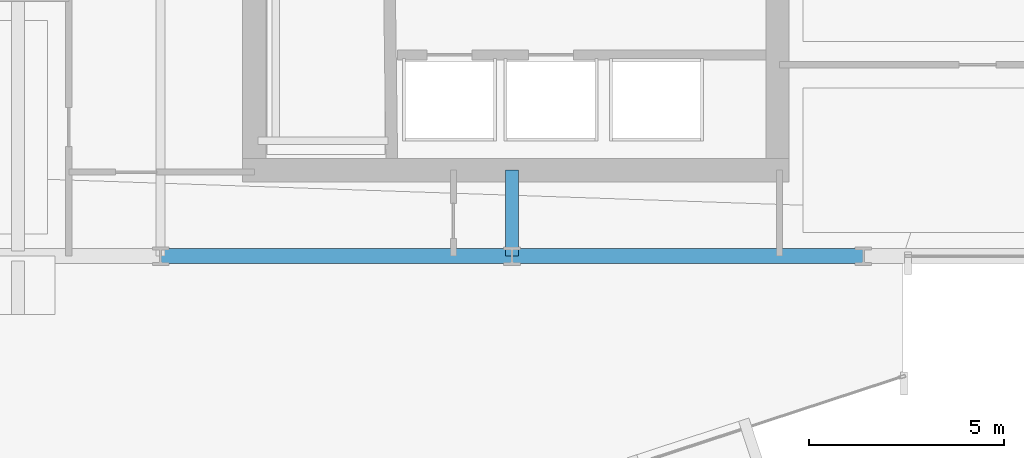
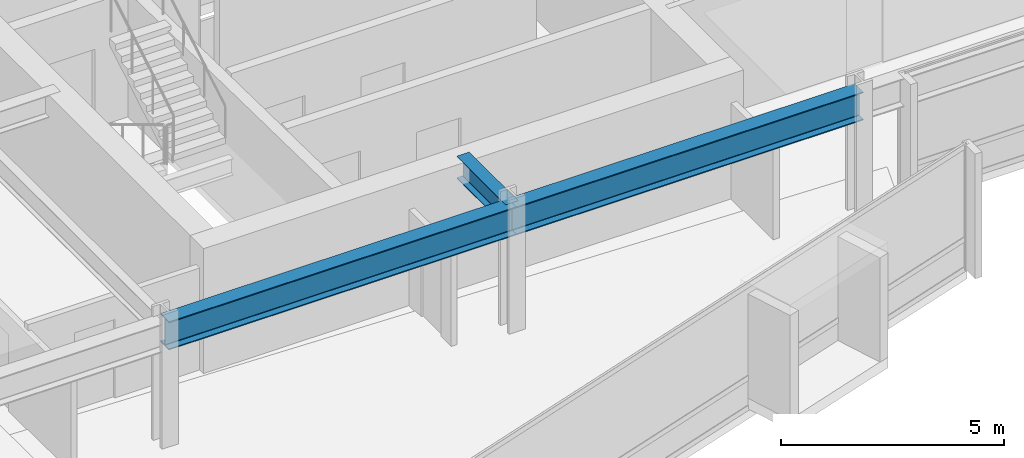
# One storey, part 11 of 34: 3 beams.
"""IFC4 building model written with IfcOpenShell, lengths in metres."""

import ifcopenshell
import ifcopenshell.guid

model = None  # the IFC model being written
_history = None  # IfcOwnerHistory: only IFC2X3 demands one
_inside = {}  # id of a spatial element -> (the spatial element, [elements in it])
_under = {}  # id of a project, library or spatial element -> (it, [spatial elements below it])
_declared = {}  # id of a project -> (the project, [libraries it declares])
_typed = {}  # id of a type object -> (the type object, [elements of that type])
_made_of = {}  # id of a material, layer set ... -> (it, [elements and type objects made of it])


def new_model(schema):
    """Start an empty IFC model of exactly this schema.

    Asked for "IFC4X3", IfcOpenShell would pick the latest addendum, in which some entities
    have other attributes; the version numbers below select the first issue.
    IFC2X3 requires an IfcOwnerHistory on every rooted entity: one is made here for all.
    """
    global model, _history
    if schema == "IFC4X3":
        model = ifcopenshell.file(schema_version=(4, 3, 0, 0))
    else:
        model = ifcopenshell.file(schema=schema)
    _inside.clear()
    _under.clear()
    _declared.clear()
    _typed.clear()
    _made_of.clear()
    _history = None
    if model.schema == "IFC2X3":
        org = make("IfcOrganization", Name="unknown")
        user = make(
            "IfcPersonAndOrganization",
            ThePerson=make("IfcPerson", FamilyName="unknown"),
            TheOrganization=org,
        )
        app = make(
            "IfcApplication",
            ApplicationDeveloper=org,
            Version="unknown",
            ApplicationFullName="unknown",
            ApplicationIdentifier="unknown",
        )
        _history = make(
            "IfcOwnerHistory",
            OwningUser=user,
            OwningApplication=app,
            ChangeAction="ADDED",
            CreationDate=0,
        )
    return model


def make(cls, **values):
    """One entity of the class cls with the attributes given. An attribute that is None is left unset."""
    return model.create_entity(
        cls, **{name: value for name, value in values.items() if value is not None}
    )


def rooted(cls, **values):
    """An entity with a GlobalId (a new one), such as an element, a storey or a relation."""
    return make(cls, GlobalId=ifcopenshell.guid.new(), OwnerHistory=_history, **values)


def si_unit(unit_type, name, prefix=None):
    """IfcSIUnit, for example si_unit("LENGTHUNIT", "METRE", prefix="MILLI")."""
    return make("IfcSIUnit", UnitType=unit_type, Prefix=prefix, Name=name)


def assignment(units):
    """IfcUnitAssignment: the units of a project."""
    return None if units is None else make("IfcUnitAssignment", Units=units)


def point(xyz):
    """IfcCartesianPoint."""
    return None if xyz is None else make("IfcCartesianPoint", Coordinates=xyz)


def direction(xyz):
    """IfcDirection."""
    return None if xyz is None else make("IfcDirection", DirectionRatios=xyz)


def frame(location, z_axis=None, x_axis=None):
    """IfcAxis2Placement3D, a coordinate frame: its origin and axes. An axis left out is left unset."""
    return make(
        "IfcAxis2Placement3D",
        Location=point(location),
        Axis=direction(z_axis),
        RefDirection=direction(x_axis),
    )


def frame_2d(location, x_axis=None):
    """IfcAxis2Placement2D, a coordinate frame in the plane: its origin and x axis."""
    return make(
        "IfcAxis2Placement2D", Location=point(location), RefDirection=direction(x_axis)
    )


def origin():
    """The frame at (0, 0, 0) with its axes left unset."""
    return frame((0.0, 0.0, 0.0))


def origin_2d():
    """The frame at (0, 0) in the plane with its x axis left unset."""
    return frame_2d((0.0, 0.0))


def place(relative_to, where):
    """IfcLocalPlacement: puts the frame where relative to a parent placement (None: the world)."""
    return make(
        "IfcLocalPlacement", PlacementRelTo=relative_to, RelativePlacement=where
    )


def context(
    kind, dimensions, precision=None, world=None, true_north=None, identifier=None
):
    """IfcGeometricRepresentationContext, for example the 3D "Model" context."""
    return make(
        "IfcGeometricRepresentationContext",
        ContextIdentifier=identifier,
        ContextType=kind,
        CoordinateSpaceDimension=dimensions,
        Precision=precision,
        WorldCoordinateSystem=world,
        TrueNorth=true_north,
    )


def subcontext(parent, identifier, kind, view, scale=None):
    """IfcGeometricRepresentationSubContext, for example "Body" below "Model"."""
    return make(
        "IfcGeometricRepresentationSubContext",
        ContextIdentifier=identifier,
        ContextType=kind,
        ParentContext=parent,
        TargetScale=scale,
        TargetView=view,
    )


def project(units=None, contexts=None):
    """IfcProject with its units and contexts."""
    return rooted(
        "IfcProject",
        Name="project",
        RepresentationContexts=contexts,
        UnitsInContext=assignment(units),
    )


def spatial(cls, under=None, at=None, **own):
    """A site, building, storey or space (cls), placed at a placement, below another one or the project."""
    s = rooted(cls, ObjectPlacement=at, **own)
    if under is not None:
        _under.setdefault(under.id(), (under, []))[1].append(s)
    return s


def profile(cls, at=None, kind="AREA", **sizes):
    """A parametric profile (cls). Its sizes go by their IFC names, for example OverallWidth=200.0."""
    return make(cls, ProfileType=kind, Position=at, **sizes)


def i_section(**sizes):
    """IfcIShapeProfileDef."""
    return profile("IfcIShapeProfileDef", **sizes)


def extrude(swept, where, along, depth):
    """IfcExtrudedAreaSolid: the profile swept, set in the frame where, extruded along a direction by depth."""
    return make(
        "IfcExtrudedAreaSolid",
        SweptArea=swept,
        Position=where,
        ExtrudedDirection=direction(along),
        Depth=depth,
    )


def shape(context_of_items, identifier, shape_type, items):
    """IfcShapeRepresentation: the items that make up one representation, for example the "Body"."""
    return make(
        "IfcShapeRepresentation",
        ContextOfItems=context_of_items,
        RepresentationIdentifier=identifier,
        RepresentationType=shape_type,
        Items=items,
    )


def material(Name=None, Category=None):
    """IfcMaterial."""
    return make("IfcMaterial", Name=Name, Category=Category)


def material_profile(
    of_material, cross_section, Name=None, Category=None, Priority=None
):
    """IfcMaterialProfile: a cross section and its material."""
    return make(
        "IfcMaterialProfile",
        Name=Name,
        Material=of_material,
        Profile=cross_section,
        Priority=Priority,
        Category=Category,
    )


def profile_set(profiles, Name=None, composite=None):
    """IfcMaterialProfileSet."""
    return make(
        "IfcMaterialProfileSet",
        Name=Name,
        MaterialProfiles=profiles,
        CompositeProfile=composite,
    )


def made_of(thing, what):
    """Note that an element or type object is made of a material, layer set ...; save() writes the relation."""
    if what is not None:
        _made_of.setdefault(what.id(), (what, []))[1].append(thing)
    return thing


def type_object(cls, material=None, **own):
    """A type object (cls), such as IfcWallType, which elements share."""
    return made_of(rooted(cls, **own), material)


def element(
    cls,
    number,
    at=None,
    inside=None,
    cuts=None,
    type_object=None,
    material=None,
    context=None,
    identifier="Body",
    shape_type=None,
    held_by="IfcProductDefinitionShape",
    body=None,
    shapes=None,
    **own,
):
    """One element of the class cls, such as IfcWall. Its Tag is "e" and its number.

    at: its placement. inside: the storey or other place that contains it. cuts: it is an
    opening in that element (IfcRelVoidsElement). A single representation is given by context,
    identifier, shape_type and body (its items); several are given by shapes. held_by: the class
    of the entity that holds the representations. save() writes the other relations.
    """
    e = rooted(cls, Tag="e%d" % number, ObjectPlacement=at, **own)
    if body is not None:
        shapes = [shape(context, identifier, shape_type, body)]
    if shapes is not None:
        e.Representation = make(held_by, Representations=shapes)
    if inside is not None:
        _inside.setdefault(inside.id(), (inside, []))[1].append(e)
    if cuts is not None:
        rooted(
            "IfcRelVoidsElement", RelatingBuildingElement=cuts, RelatedOpeningElement=e
        )
    if type_object is not None:
        _typed.setdefault(type_object.id(), (type_object, []))[1].append(e)
    return made_of(e, material)


def aggregate(whole, parts):
    """IfcRelAggregates: a whole, such as a stair, and the parts it consists of."""
    return rooted("IfcRelAggregates", RelatingObject=whole, RelatedObjects=parts)


def save(model, path):
    """Write the relations noted so far, then the file.

    IfcRelAggregates (storeys below a building ...), IfcRelContainedInSpatialStructure (elements
    in a storey), IfcRelDefinesByType, IfcRelAssociatesMaterial and IfcRelDeclares: one each for
    every whole, place, type object, material and project.
    """
    for whole, parts in _under.values():
        aggregate(whole, parts)
    for where, things in _inside.values():
        rooted(
            "IfcRelContainedInSpatialStructure",
            RelatedElements=things,
            RelatingStructure=where,
        )
    for kind, things in _typed.values():
        rooted("IfcRelDefinesByType", RelatedObjects=things, RelatingType=kind)
    for what, things in _made_of.values():
        rooted("IfcRelAssociatesMaterial", RelatedObjects=things, RelatingMaterial=what)
    for by, libraries in _declared.values():
        rooted("IfcRelDeclares", RelatingContext=by, RelatedDefinitions=libraries)
    model.write(path)


model = new_model("IFC4")

# Units and contexts
model_context = context("Model", 3, precision=1e-05, world=origin(), true_north=direction((0.0, 1.0)))
body_context = subcontext(model_context, "Body", "Model", "MODEL_VIEW")
ifc_project = project(units=[si_unit("LENGTHUNIT", "METRE"), si_unit("AREAUNIT", "SQUARE_METRE"), si_unit("VOLUMEUNIT", "CUBIC_METRE"), si_unit("PLANEANGLEUNIT", "RADIAN"), si_unit("MASSUNIT", "GRAM", prefix="KILO")], contexts=[model_context])

# Site, building, storey
site_placement = place(None, origin())
site = spatial("IfcSite", under=ifc_project, at=site_placement, CompositionType="ELEMENT")
building_placement = place(site_placement, origin())
building = spatial("IfcBuilding", under=site, at=building_placement, Name="Solvaryn Broadcast Tower", CompositionType="ELEMENT")
storey_placement = place(building_placement, frame((0.0, 0.0, 89.10009765625)))
storey = spatial("IfcBuildingStorey", under=building, at=storey_placement, Name="L21", CompositionType="ELEMENT", Elevation=89.10009765625)

# Beams
ifc_material_1 = material(Name="Steel ASTM A992 Grade 50", Category="steel")
ifc_material_profile_1 = material_profile(ifc_material_1, i_section(OverallWidth=0.323974609375, OverallDepth=0.611083984375, WebThickness=0.0126953125, FlangeThickness=0.01904296875, FilletRadius=0.014892578125, at=origin_2d()))
ifc_profile_set_1 = profile_set([ifc_material_profile_1], Name="Steel ASTM A992 Grade 50")
beam_type_1 = type_object("IfcBeamType", Name="BM-B1-W24X104", PredefinedType="BEAM", material=ifc_profile_set_1)
beam_placement = place(storey_placement, frame((36.0, 9.0, 3.114501953125), z_axis=(0.0, 1.0, 0.0), x_axis=(-1.0, 0.0, 0.0)))
element("IfcBeam", 1, at=beam_placement, inside=storey, type_object=beam_type_1, Name="L21 Core Tie Beam CTE1", PredefinedType="BEAM", context=body_context, shape_type="SweptSolid", body=[
    extrude(i_section(OverallWidth=0.323974609375, OverallDepth=0.611083984375, WebThickness=0.0126953125, FlangeThickness=0.01904296875, FilletRadius=0.014892578125, at=origin_2d()), origin(), (0.0, 0.0, 1.0), 2.199951171875),
])
ifc_material_2 = material(Name="Steel ASTM A992 Grade 50", Category="steel")
ifc_material_profile_2 = material_profile(ifc_material_2, i_section(OverallWidth=0.381103515625, OverallDepth=0.77294921875, WebThickness=0.0166015625, FlangeThickness=0.027099609375, FilletRadius=0.01806640625, at=origin_2d()))
ifc_profile_set_2 = profile_set([ifc_material_profile_2], Name="Steel ASTM A992 Grade 50")
beam_type_2 = type_object("IfcBeamType", Name="BM-SP1-W30X173", PredefinedType="USERDEFINED", material=ifc_profile_set_2)
for number, where, z_axis, x_axis, name in (
    (2, (27.0, 9.0, 3.033447265625), (1.0, 0.0, 0.0), (0.0, 1.0, 0.0), "L21 Spandrel Beam X (27-36 @ Y=9)"),
    (3, (36.0, 9.0, 3.033447265625), (1.0, 0.0, 0.0), (0.0, 1.0, 0.0), "L21 Spandrel Beam X (36-45 @ Y=9)"),
):
    element("IfcBeam", number, at=place(storey_placement, frame(where, z_axis=z_axis, x_axis=x_axis)), inside=storey, type_object=beam_type_2, Name=name, ObjectType="SPANDREL", PredefinedType="USERDEFINED", context=body_context, shape_type="SweptSolid", body=[
        extrude(i_section(OverallWidth=0.381103515625, OverallDepth=0.77294921875, WebThickness=0.0166015625, FlangeThickness=0.027099609375, FilletRadius=0.01806640625, at=origin_2d()), origin(), (0.0, 0.0, 1.0), 9.0),
    ])

save(model, "model.ifc")
